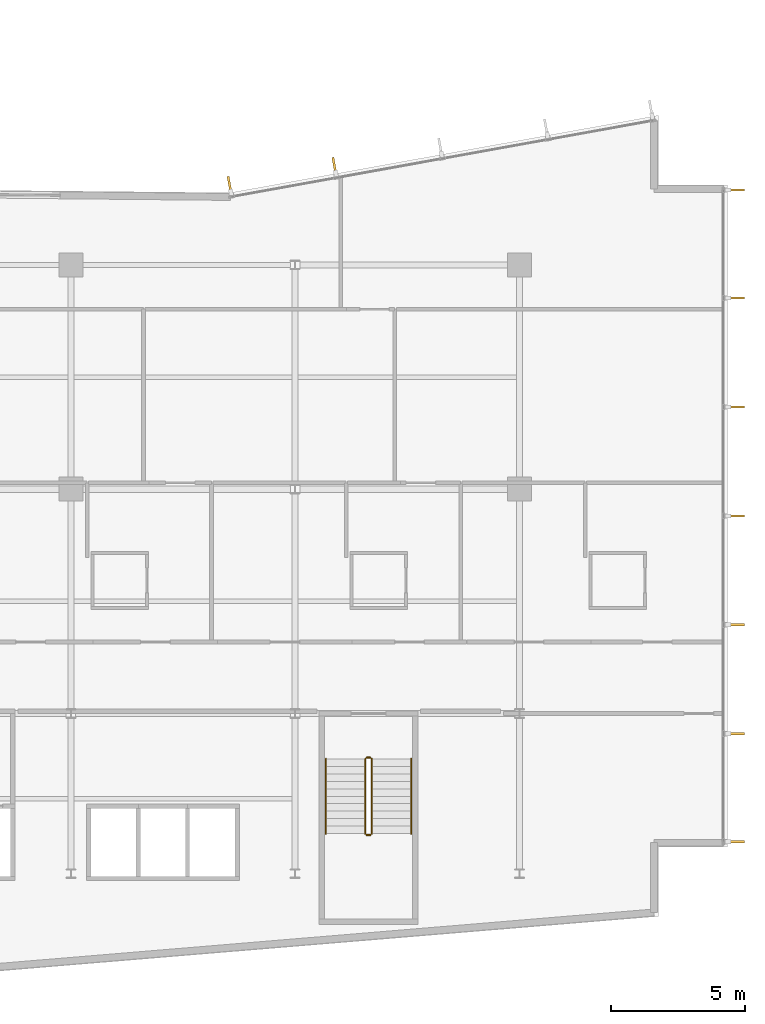
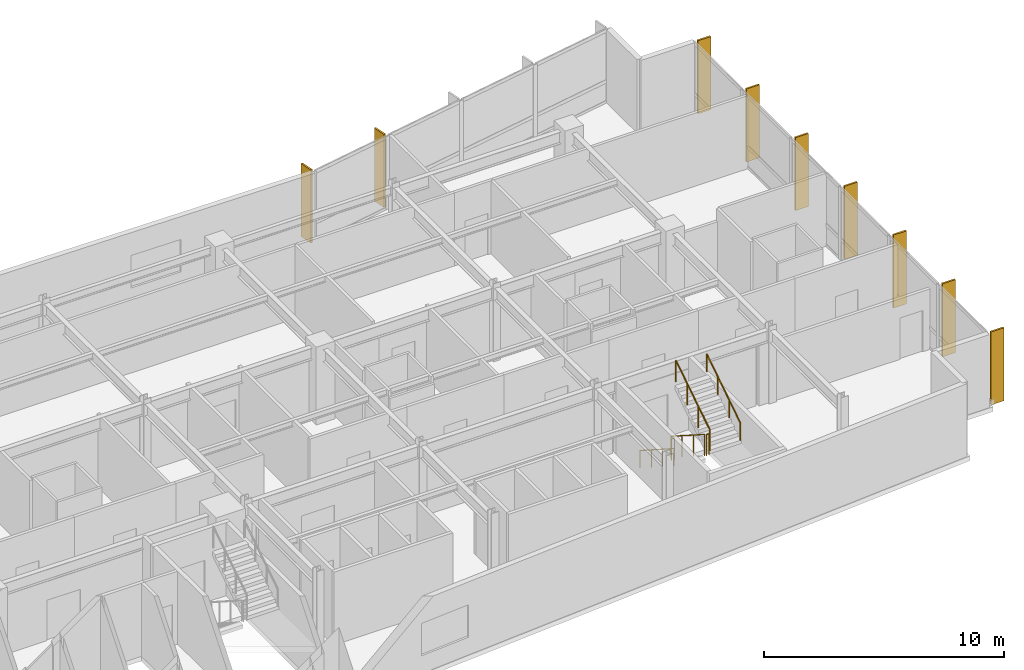
# One storey, part 18 of 20: 9 shading devices, 6 railings.
"""IFC4 building model written with IfcOpenShell, lengths in metres."""

from ifc_helpers import new_model, si_unit, direction, frame, origin, origin_2d, place, context, subcontext, project, spatial, rectangle, circle, extrude, material, layer, layer_set, type_object, element, save


model = new_model("IFC4")

# Units and contexts
model_context = context("Model", 3, precision=1e-05, world=origin(), true_north=direction((0.0, 1.0)))
body_context = subcontext(model_context, "Body", "Model", "MODEL_VIEW")
ifc_project = project(units=[si_unit("LENGTHUNIT", "METRE"), si_unit("AREAUNIT", "SQUARE_METRE"), si_unit("VOLUMEUNIT", "CUBIC_METRE"), si_unit("PLANEANGLEUNIT", "RADIAN"), si_unit("MASSUNIT", "GRAM", prefix="KILO")], contexts=[model_context])

# Site, building, storey
site_placement = place(None, origin())
site = spatial("IfcSite", under=ifc_project, at=site_placement, CompositionType="ELEMENT")
building_placement = place(site_placement, origin())
building = spatial("IfcBuilding", under=site, at=building_placement, Name="Varnakote Quay Hospital", CompositionType="ELEMENT")
storey_placement = place(building_placement, frame((0.0, 0.0, 26.449951171875)))
storey = spatial("IfcBuildingStorey", under=building, at=storey_placement, Name="L06", CompositionType="ELEMENT", Elevation=26.449951171875)

# Railings
ifc_material_1 = material(Name="Brushed stainless steel balustrade", Category="steel")
railing_type_1 = type_object("IfcRailingType", Name="RLG-STAIR-GUARD-1150", PredefinedType="GUARDRAIL", material=ifc_material_1)
railing_1_placement = place(storey_placement, frame((44.6298828125, 10.300048828125, 0.1796875)))
element("IfcRailing", 1, at=railing_1_placement, inside=storey, type_object=railing_type_1, Name="L06 ST-03 stair guard 1", PredefinedType="GUARDRAIL", context=body_context, shape_type="SweptSolid", body=[
    extrude(circle(Radius=0.02392578125, at=origin_2d()), frame((0.0, 0.0, 1.076171875), z_axis=(0.0, -0.841809871826, 0.539774156196), x_axis=(1.0, 0.0, 0.0)), (0.0, 0.0, 1.0), 3.326171875),
    extrude(circle(Radius=0.02099609375, at=origin_2d()), origin(), (0.0, 0.0, 1.0), 1.052001953125),
    extrude(circle(Radius=0.02099609375, at=origin_2d()), frame((0.0, -0.933349609375, 0.598388671875)), (0.0, 0.0, 1.0), 1.052001953125),
    extrude(circle(Radius=0.02099609375, at=origin_2d()), frame((0.0, -1.86669921875, 1.197021484375)), (0.0, 0.0, 1.0), 1.052001953125),
    extrude(circle(Radius=0.02099609375, at=origin_2d()), frame((0.0, -2.800048828125, 1.79541015625)), (0.0, 0.0, 1.0), 1.052001953125),
])
railing_2_placement = place(storey_placement, frame((44.679931640625, 7.449951171875, 1.97509765625)))
element("IfcRailing", 2, at=railing_2_placement, inside=storey, type_object=railing_type_1, Name="L06 ST-03 stair guard 2", PredefinedType="GUARDRAIL", context=body_context, shape_type="SweptSolid", body=[
    extrude(circle(Radius=0.02392578125, at=origin_2d()), frame((0.0, 0.0, 1.076171875), z_axis=(1.0, 0.0, 0.0), x_axis=(0.0, 1.0, 0.0)), (0.0, 0.0, 1.0), 0.14013671875),
    extrude(circle(Radius=0.02099609375, at=origin_2d()), origin(), (0.0, 0.0, 1.0), 1.052001953125),
    extrude(circle(Radius=0.02099609375, at=origin_2d()), frame((0.14013671875, 0.0, 0.0)), (0.0, 0.0, 1.0), 1.052001953125),
])
railing_3_placement = place(storey_placement, frame((44.8701171875, 7.5, 2.154541015625)))
element("IfcRailing", 3, at=railing_3_placement, inside=storey, type_object=railing_type_1, Name="L06 ST-03 stair guard 3", PredefinedType="GUARDRAIL", context=body_context, shape_type="SweptSolid", body=[
    extrude(circle(Radius=0.02392578125, at=origin_2d()), frame((0.0, 0.0, 1.076171875), z_axis=(0.0, 0.841809871826, 0.539774156196), x_axis=(-1.0, 0.0, 0.0)), (0.0, 0.0, 1.0), 3.326171875),
    extrude(circle(Radius=0.02099609375, at=origin_2d()), origin(), (0.0, 0.0, 1.0), 1.052001953125),
    extrude(circle(Radius=0.02099609375, at=origin_2d()), frame((0.0, 0.933349609375, 0.598388671875)), (0.0, 0.0, 1.0), 1.052001953125),
    extrude(circle(Radius=0.02099609375, at=origin_2d()), frame((0.0, 1.86669921875, 1.197021484375)), (0.0, 0.0, 1.0), 1.052001953125),
    extrude(circle(Radius=0.02099609375, at=origin_2d()), frame((0.0, 2.800048828125, 1.79541015625)), (0.0, 0.0, 1.0), 1.052001953125),
])
railing_4_placement = place(storey_placement, frame((44.679931640625, 10.35009765625, 0.0)))
element("IfcRailing", 4, at=railing_4_placement, inside=storey, type_object=railing_type_1, Name="L06 ST-03 stair guard 4", PredefinedType="GUARDRAIL", context=body_context, shape_type="SweptSolid", body=[
    extrude(circle(Radius=0.02392578125, at=origin_2d()), frame((0.0, 0.0, 1.076171875), z_axis=(1.0, 0.0, 0.0), x_axis=(0.0, 1.0, 0.0)), (0.0, 0.0, 1.0), 0.14013671875),
    extrude(circle(Radius=0.02099609375, at=origin_2d()), origin(), (0.0, 0.0, 1.0), 1.052001953125),
    extrude(circle(Radius=0.02099609375, at=origin_2d()), frame((0.14013671875, 0.0, 0.0)), (0.0, 0.0, 1.0), 1.052001953125),
])
ifc_material_2 = material(Name="Brushed stainless steel handrail", Category="steel")
railing_type_2 = type_object("IfcRailingType", Name="RLG-STAIR-HND-920", PredefinedType="HANDRAIL", material=ifc_material_2)
railing_5_placement = place(storey_placement, frame((43.14990234375, 10.300048828125, 0.1796875)))
element("IfcRailing", 5, at=railing_5_placement, inside=storey, type_object=railing_type_2, Name="L06 ST-03 stair handrail 1", PredefinedType="HANDRAIL", context=body_context, shape_type="SweptSolid", body=[
    extrude(circle(Radius=0.02392578125, at=origin_2d()), frame((0.0, 0.0, 0.8759765625), z_axis=(0.0, -0.841809871826, 0.539774156196), x_axis=(1.0, 0.0, 0.0)), (0.0, 0.0, 1.0), 3.326171875),
    extrude(circle(Radius=0.02099609375, at=origin_2d()), origin(), (0.0, 0.0, 1.0), 0.851806640625),
    extrude(circle(Radius=0.02099609375, at=origin_2d()), frame((0.0, -0.933349609375, 0.598388671875)), (0.0, 0.0, 1.0), 0.851806640625),
    extrude(circle(Radius=0.02099609375, at=origin_2d()), frame((0.0, -1.86669921875, 1.197021484375)), (0.0, 0.0, 1.0), 0.851806640625),
    extrude(circle(Radius=0.02099609375, at=origin_2d()), frame((0.0, -2.800048828125, 1.79541015625)), (0.0, 0.0, 1.0), 0.851806640625),
])
railing_6_placement = place(storey_placement, frame((46.35009765625, 7.5, 2.154541015625)))
element("IfcRailing", 6, at=railing_6_placement, inside=storey, type_object=railing_type_2, Name="L06 ST-03 stair handrail 2", PredefinedType="HANDRAIL", context=body_context, shape_type="SweptSolid", body=[
    extrude(circle(Radius=0.02392578125, at=origin_2d()), frame((0.0, 0.0, 0.8759765625), z_axis=(0.0, 0.841809871826, 0.539774156196), x_axis=(-1.0, 0.0, 0.0)), (0.0, 0.0, 1.0), 3.326171875),
    extrude(circle(Radius=0.02099609375, at=origin_2d()), origin(), (0.0, 0.0, 1.0), 0.851806640625),
    extrude(circle(Radius=0.02099609375, at=origin_2d()), frame((0.0, 0.933349609375, 0.598388671875)), (0.0, 0.0, 1.0), 0.851806640625),
    extrude(circle(Radius=0.02099609375, at=origin_2d()), frame((0.0, 1.86669921875, 1.197021484375)), (0.0, 0.0, 1.0), 0.851806640625),
    extrude(circle(Radius=0.02099609375, at=origin_2d()), frame((0.0, 2.800048828125, 1.79541015625)), (0.0, 0.0, 1.0), 0.851806640625),
])

# Shading devices
ifc_material_3 = material(Name="Anodised aluminium 6063-T6 Bronze", Category="aluminium")
ifc_layer = layer(ifc_material_3, 0.0849609375)
ifc_layer_set = layer_set([ifc_layer], Name="Anodised aluminium 6063-T6 Bronze")
shading_device_type = type_object("IfcShadingDeviceType", Name="SHD-BRONZE-FIN-620", PredefinedType="USERDEFINED", material=ifc_layer_set)
for number, where, z_axis, x_axis, name in (
    (7, (58.510009765625, 7.197509765625, 0.0), (0.0, 0.0, 1.0), (-1.0, 0.0, 0.0), "L06 Anodised Bronze Vertical Shading FIN"),
    (8, (58.510009765625, 11.239990234375, 0.0), (0.0, 0.0, 1.0), (-1.0, 0.0, 0.0), "L06 Anodised Bronze Vertical Shading FIN"),
    (9, (58.510009765625, 15.320068359375, 0.0), (0.0, 0.0, 1.0), (-1.0, 0.0, 0.0), "L06 Anodised Bronze Vertical Shading FIN"),
    (10, (58.510009765625, 19.39990234375, 0.0), (0.0, 0.0, 1.0), (-1.0, 0.0, 0.0), "L06 Anodised Bronze Vertical Shading FIN"),
    (11, (58.510009765625, 23.47998046875, 0.0), (0.0, 0.0, 1.0), (-1.0, 0.0, 0.0), "L06 Anodised Bronze Vertical Shading FIN"),
    (12, (58.510009765625, 27.56005859375, 0.0), (0.0, 0.0, 1.0), (-1.0, 0.0, 0.0), "L06 Anodised Bronze Vertical Shading FIN"),
    (13, (58.510009765625, 31.6025390625, 0.0), (0.0, 0.0, 1.0), (-1.0, 0.0, 0.0), "L06 Anodised Bronze Vertical Shading FIN"),
    (14, (43.468505859375, 32.522705078125, 0.0), (0.0, 0.0, 1.0), (0.177771795263, -0.984071739666, 0.0), "L06 Anodised Bronze Vertical Shading FIN"),
    (15, (39.54296875, 31.81298828125, 0.0), (0.0, 0.0, 1.0), (0.177771795263, -0.984071739666, 0.0), "L06 Anodised Bronze Vertical Shading FIN"),
):
    element("IfcShadingDevice", number, at=place(storey_placement, frame(where, z_axis=z_axis, x_axis=x_axis)), inside=storey, type_object=shading_device_type, Name=name, ObjectType="FIN", PredefinedType="USERDEFINED", context=body_context, shape_type="SweptSolid", body=[
        extrude(rectangle(XDim=0.6201171875, YDim=0.0849609375, at=origin_2d()), origin(), (0.0, 0.0, 1.0), 3.7099609375),
    ])

save(model, "model.ifc")
